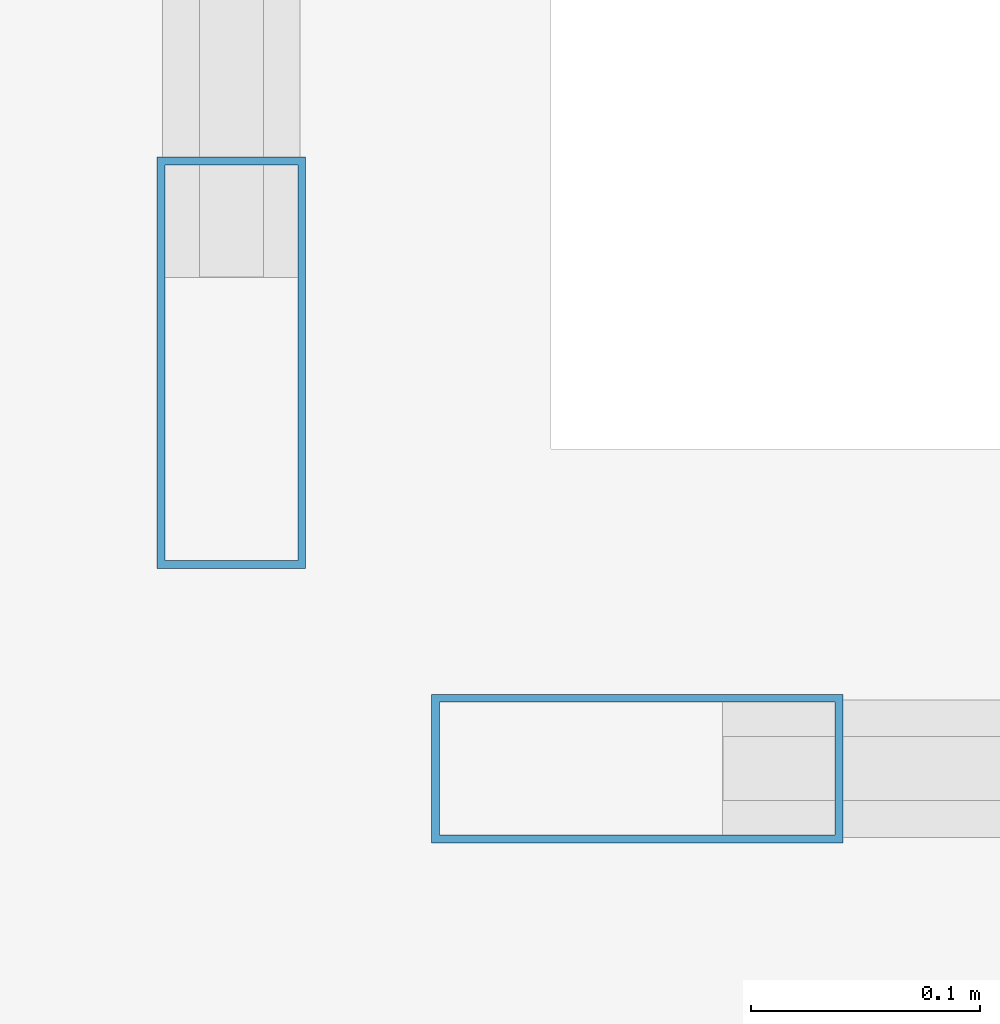
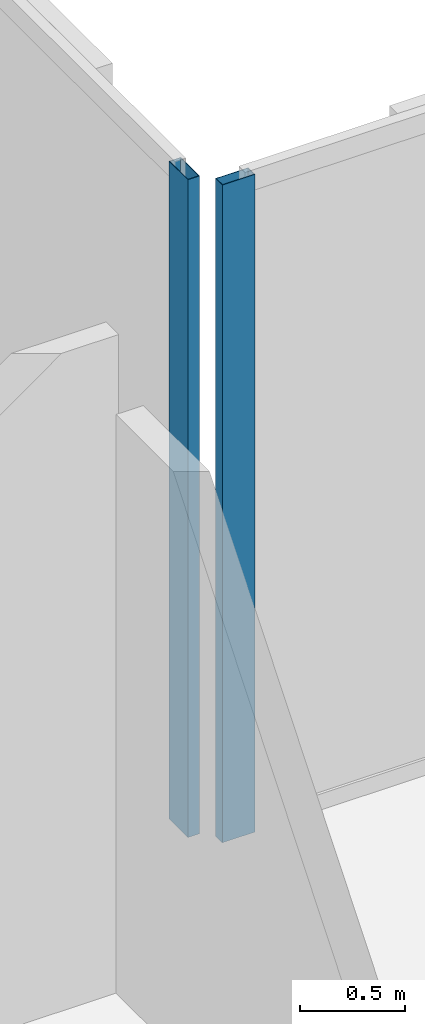
# One storey, part 19 of 29: 2 members, 2 elements without a shape of their own.
"""IFC4 building model written with IfcOpenShell, lengths in metres."""

from ifc_helpers import new_model, si_unit, direction, frame, origin, origin_2d, place, context, subcontext, project, spatial, hollow_rectangle, extrude, material, layer, layer_set, material_profile, profile_set, type_object, element, aggregate, save


model = new_model("IFC4")

# Units and contexts
model_context = context("Model", 3, precision=1e-05, world=origin(), true_north=direction((0.0, 1.0)))
body_context = subcontext(model_context, "Body", "Model", "MODEL_VIEW")
ifc_project = project(units=[si_unit("LENGTHUNIT", "METRE"), si_unit("AREAUNIT", "SQUARE_METRE"), si_unit("VOLUMEUNIT", "CUBIC_METRE"), si_unit("PLANEANGLEUNIT", "RADIAN"), si_unit("MASSUNIT", "GRAM", prefix="KILO")], contexts=[model_context])

# Site, building, storey
site_placement = place(None, origin())
site = spatial("IfcSite", under=ifc_project, at=site_placement, CompositionType="ELEMENT")
building_placement = place(site_placement, origin())
building = spatial("IfcBuilding", under=site, at=building_placement, Name="Nerrivon Quay Data Exchange", CompositionType="ELEMENT")
storey_placement = place(building_placement, frame((0.0, 0.0, 196.0)))
storey = spatial("IfcBuildingStorey", under=building, at=storey_placement, Name="L46", CompositionType="ELEMENT", Elevation=196.0)

# Curtain wall, member
ifc_material = material(Name="Anodised aluminium 6063-T6", Category="aluminium")
ifc_layer = layer(ifc_material, 0.195068359375)
ifc_layer_set = layer_set([ifc_layer], Name="Anodised aluminium 6063-T6")
curtain_wall_type = type_object("IfcCurtainWallType", Name="CW-SYS-06", PredefinedType="NOTDEFINED", material=ifc_layer_set)
curtain_wall_1_placement = place(storey_placement, origin())
curtain_wall_1 = element("IfcCurtainWall", 1, at=curtain_wall_1_placement, inside=storey, type_object=curtain_wall_type, Name="L46 Unitised Curtain Wall 11", PredefinedType="NOTDEFINED")
ifc_material_profile = material_profile(ifc_material, hollow_rectangle(XDim=0.06494140625, YDim=0.179931640625, WallThickness=0.00341796875, at=origin_2d()), Name="ALU-MULL-180x65")
ifc_profile_set = profile_set([ifc_material_profile], Name="Anodised aluminium 6063-T6")
member_type = type_object("IfcMemberType", Name="CWM-180x65", PredefinedType="MULLION", material=ifc_profile_set)
member_1_placement = place(storey_placement, frame((20.860107421875, 46.237548828125, 0.0), z_axis=(0.0, 0.0, 1.0), x_axis=(1.0, 0.0, 0.0)))
member_1 = element("IfcMember", 2, at=member_1_placement, type_object=member_type, Name="CW06 mullion 2", PredefinedType="MULLION", context=body_context, shape_type="SweptSolid", body=[
    extrude(hollow_rectangle(XDim=0.06494140625, YDim=0.179931640625, WallThickness=0.00341796875, at=origin_2d()), origin(), (0.0, 0.0, 1.0), 3.824951171875),
])
aggregate(curtain_wall_1, [member_1])

curtain_wall_2_placement = place(storey_placement, origin())
curtain_wall_2 = element("IfcCurtainWall", 3, at=curtain_wall_2_placement, inside=storey, type_object=curtain_wall_type, Name="L46 Unitised Curtain Wall 12", PredefinedType="NOTDEFINED")
member_2_placement = place(storey_placement, frame((21.03759765625, 46.06005859375, 0.0), z_axis=(0.0, 0.0, 1.0), x_axis=(0.0, 1.0, 0.0)))
member_2 = element("IfcMember", 4, at=member_2_placement, type_object=member_type, Name="CW06 mullion 1", PredefinedType="MULLION", context=body_context, shape_type="SweptSolid", body=[
    extrude(hollow_rectangle(XDim=0.06494140625, YDim=0.179931640625, WallThickness=0.00341796875, at=origin_2d()), origin(), (0.0, 0.0, 1.0), 3.824951171875),
])
aggregate(curtain_wall_2, [member_2])

save(model, "model.ifc")
